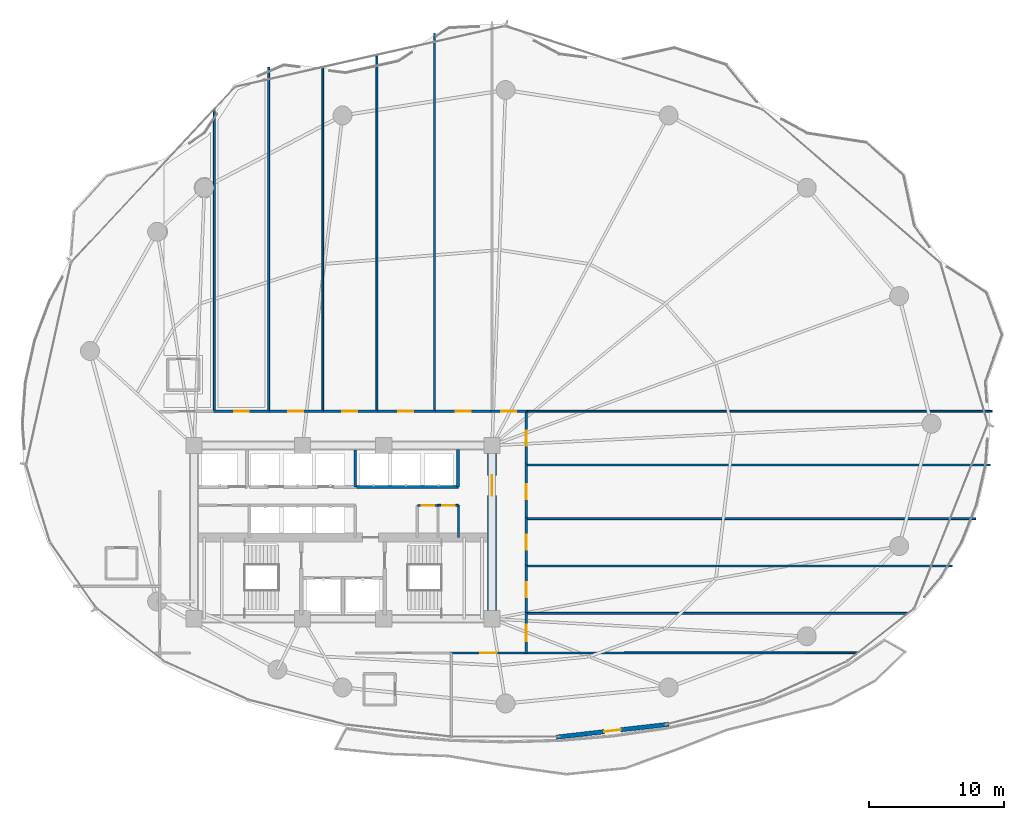
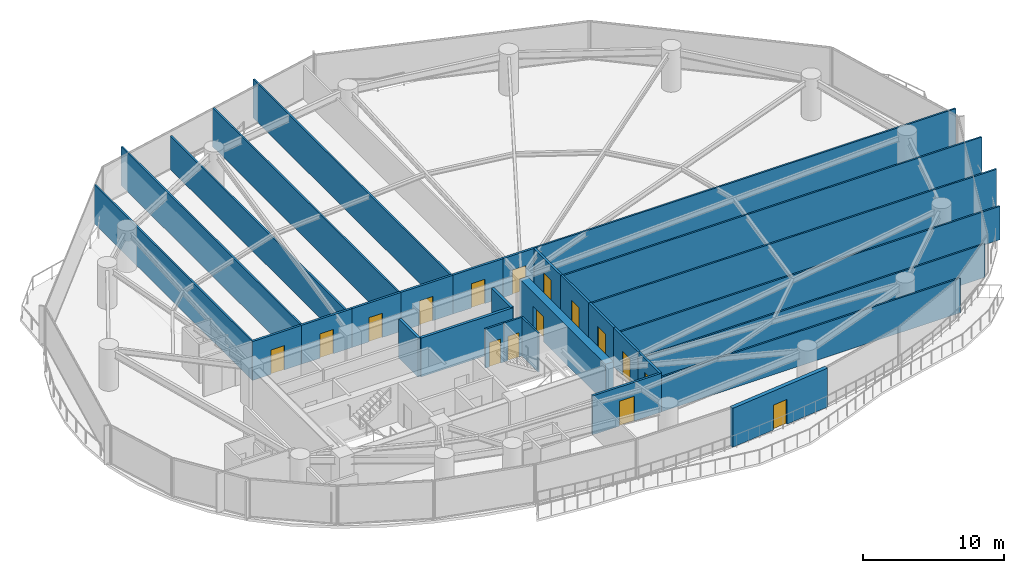
# One storey, part 27 of 33: 31 walls, 16 doors, 16 openings.
"""IFC4 building model written with IfcOpenShell, lengths in metres."""

from ifc_helpers import new_model, si_unit, direction, frame, frame_2d, origin, place, context, subcontext, project, spatial, rectangle, extrude, material, layer, layer_set, type_object, element, fill, save


model = new_model("IFC4")

# Units and contexts
model_context = context("Model", 3, precision=1e-05, world=origin(), true_north=direction((0.0, 1.0)))
body_context = subcontext(model_context, "Body", "Model", "MODEL_VIEW")
ifc_project = project(units=[si_unit("LENGTHUNIT", "METRE"), si_unit("AREAUNIT", "SQUARE_METRE"), si_unit("VOLUMEUNIT", "CUBIC_METRE"), si_unit("PLANEANGLEUNIT", "RADIAN"), si_unit("MASSUNIT", "GRAM", prefix="KILO")], contexts=[model_context])

# Site, building, storey
site_placement = place(None, origin())
site = spatial("IfcSite", under=ifc_project, at=site_placement, CompositionType="ELEMENT")
building_placement = place(site_placement, origin())
building = spatial("IfcBuilding", under=site, at=building_placement, Name="Kazevale Care Tower and Concert Hall", CompositionType="ELEMENT")
storey_placement = place(building_placement, frame((0.0, 0.0, 31.199951171875)))
storey = spatial("IfcBuildingStorey", under=building, at=storey_placement, Name="L07", CompositionType="ELEMENT", Elevation=31.199951171875)

# Wall
ifc_material_1 = material(Name="Acoustic Gypsum on Steel Stud", Category="steel")
ifc_layer_1 = layer(ifc_material_1, 0.139892578125)
ifc_layer_set_1 = layer_set([ifc_layer_1], Name="Acoustic Gypsum on Steel Stud")
wall_type_1 = type_object("IfcWallType", Name="Acoustic Care & Suite Partition 140", PredefinedType="PARTITIONING", material=ifc_layer_set_1)
wall_1_placement = place(storey_placement, frame((41.52001953125, 29.6201171875, 0.0), z_axis=(0.0, 0.0, 1.0), x_axis=(0.0, 1.0, 0.0)))
element("IfcWall", 1, at=wall_1_placement, inside=storey, type_object=wall_type_1, Name="wall:L07:ka_ee", PredefinedType="PARTITIONING", context=body_context, shape_type="SweptSolid", body=[
    extrude(rectangle(XDim=2.35986328125, YDim=0.139892578125, at=frame_2d((1.179931640625, 0.0))), origin(), (0.0, 0.0, 1.0), 3.360107421875),
])

# Wall, opening, door
wall_2_placement = place(storey_placement, frame((40.0, 31.97998046875, 0.0), z_axis=(0.0, 0.0, 1.0), x_axis=(1.0, 0.0, 0.0)))
wall_2 = element("IfcWall", 2, at=wall_2_placement, inside=storey, type_object=wall_type_1, Name="wall:L07:ka_en2", PredefinedType="PARTITIONING", context=body_context, shape_type="SweptSolid", body=[
    extrude(rectangle(XDim=1.52001953125, YDim=0.139892578125, at=frame_2d((0.760009765625, 0.0))), origin(), (0.0, 0.0, 1.0), 3.360107421875),
])
opening_1_placement = place(wall_2_placement, frame((0.320068359375, 0.0, 0.0)))
opening_1 = element("IfcOpeningElement", 3, at=opening_1_placement, cuts=wall_2, Name="Opening ID-900", PredefinedType="OPENING", context=body_context, shape_type="SweptSolid", body=[
    extrude(rectangle(XDim=0.919921875, YDim=2.10009765625, at=frame_2d((0.4599609375, 1.050048828125))), frame((0.0, 0.079833984375, 0.0), z_axis=(0.0, -1.0, 0.0), x_axis=(1.0, 0.0, 0.0)), (0.0, 0.0, 1.0), 0.159912109375),
])
ifc_material_2 = material(Name="Oak Timber Fire Leaf", Category="wood")
door_type_1 = type_object("IfcDoorType", Name="Bathroom & Service Door 920x2100", OperationType="NOTDEFINED", PredefinedType="DOOR", material=ifc_material_2)
door_1_placement = place(opening_1_placement, origin())
door_1 = element("IfcDoor", 4, at=door_1_placement, inside=storey, type_object=door_type_1, Name="door:L07:d_kae2", OperationType="SINGLE_SWING_RIGHT", OverallHeight=2.10009765625, OverallWidth=0.919921875, PredefinedType="DOOR", context=body_context, shape_type="SweptSolid", body=[
    extrude(rectangle(XDim=0.919921875, YDim=2.10009765625, at=frame_2d((0.4599609375, 1.050048828125))), frame((0.0, 0.02490234375, 0.0), z_axis=(0.0, -1.0, 0.0), x_axis=(1.0, 0.0, 0.0)), (0.0, 0.0, 1.0), 0.050048828125),
])
fill(opening_1, door_1)

# Walls
wall_3_placement = place(storey_placement, frame((23.5, 61.2236328125, 0.0), z_axis=(0.0, 0.0, 1.0), x_axis=(0.0, -1.0, 0.0)))
element("IfcWall", 5, at=wall_3_placement, inside=storey, type_object=wall_type_1, Name="wall:L07:auto_018", PredefinedType="PARTITIONING", context=body_context, shape_type="SweptSolid", body=[
    extrude(rectangle(XDim=22.32861328125, YDim=0.139892578125, at=frame_2d((11.164306640625, 0.0))), origin(), (0.0, 0.0, 1.0), 3.360107421875),
])
wall_4_placement = place(storey_placement, frame((27.5, 64.322998046875, 0.0), z_axis=(0.0, 0.0, 1.0), x_axis=(0.0, -1.0, 0.0)))
element("IfcWall", 6, at=wall_4_placement, inside=storey, type_object=wall_type_1, Name="wall:L07:auto_019", PredefinedType="PARTITIONING", context=body_context, shape_type="SweptSolid", body=[
    extrude(rectangle(XDim=25.427978515625, YDim=0.139892578125, at=frame_2d((12.7138671875, 0.0))), origin(), (0.0, 0.0, 1.0), 3.360107421875),
])
wall_5_placement = place(storey_placement, frame((31.5, 64.323974609375, 0.0), z_axis=(0.0, 0.0, 1.0), x_axis=(0.0, -1.0, 0.0)))
element("IfcWall", 7, at=wall_5_placement, inside=storey, type_object=wall_type_1, Name="wall:L07:auto_020", PredefinedType="PARTITIONING", context=body_context, shape_type="SweptSolid", body=[
    extrude(rectangle(XDim=25.428955078125, YDim=0.139892578125, at=frame_2d((12.71435546875, 0.0))), origin(), (0.0, 0.0, 1.0), 2.89013671875),
])
wall_6_placement = place(storey_placement, frame((35.5, 65.2255859375, 0.0), z_axis=(0.0, 0.0, 1.0), x_axis=(0.0, -1.0, 0.0)))
element("IfcWall", 8, at=wall_6_placement, inside=storey, type_object=wall_type_1, Name="wall:L07:auto_021", PredefinedType="PARTITIONING", context=body_context, shape_type="SweptSolid", body=[
    extrude(rectangle(XDim=26.33056640625, YDim=0.139892578125, at=frame_2d((13.165283203125, 0.0))), origin(), (0.0, 0.0, 1.0), 3.360107421875),
])
wall_7_placement = place(storey_placement, frame((39.75, 66.85693359375, 0.0), z_axis=(0.0, 0.0, 1.0), x_axis=(0.0, -1.0, 0.0)))
element("IfcWall", 9, at=wall_7_placement, inside=storey, type_object=wall_type_1, Name="wall:L07:auto_022", PredefinedType="PARTITIONING", context=body_context, shape_type="SweptSolid", body=[
    extrude(rectangle(XDim=27.9619140625, YDim=0.139892578125, at=frame_2d((13.98095703125, 0.0))), origin(), (0.0, 0.0, 1.0), 3.360107421875),
])
wall_8_placement = place(storey_placement, frame((80.931884765625, 38.925048828125, 0.0), z_axis=(0.0, 0.0, 1.0), x_axis=(-1.0, 0.0, 0.0)))
element("IfcWall", 10, at=wall_8_placement, inside=storey, type_object=wall_type_1, Name="wall:L07:auto_024", PredefinedType="PARTITIONING", context=body_context, shape_type="SweptSolid", body=[
    extrude(rectangle(XDim=34.471923828125, YDim=0.139892578125, at=frame_2d((17.23583984375, 0.0))), origin(), (0.0, 0.0, 1.0), 3.360107421875),
])
wall_9_placement = place(storey_placement, frame((46.4951171875, 24.0, 0.0), z_axis=(0.0, 0.0, 1.0), x_axis=(1.0, 0.0, 0.0)))
element("IfcWall", 11, at=wall_9_placement, inside=storey, type_object=wall_type_1, Name="wall:L07:auto_025", PredefinedType="PARTITIONING", context=body_context, shape_type="SweptSolid", body=[
    extrude(rectangle(XDim=28.213623046875, YDim=0.139892578125, at=frame_2d((14.10693359375, 0.0))), origin(), (0.0, 0.0, 1.0), 2.89013671875),
])
wall_10_placement = place(storey_placement, frame((71.0107421875, 21.094482421875, 0.0), z_axis=(0.0, 0.0, 1.0), x_axis=(-0.999999682646, -0.000796685534, 0.0)))
element("IfcWall", 12, at=wall_10_placement, inside=storey, type_object=wall_type_1, Name="wall:L07:auto_026", PredefinedType="PARTITIONING", context=body_context, shape_type="SweptSolid", body=[
    extrude(rectangle(XDim=24.515625, YDim=0.139892578125, at=frame_2d((12.2578125, 0.0))), origin(), (0.0, 0.0, 1.0), 2.99609375),
])
wall_11_placement = place(storey_placement, frame((46.4951171875, 27.5, 0.0), z_axis=(0.0, 0.0, 1.0), x_axis=(1.0, 0.0, 0.0)))
element("IfcWall", 13, at=wall_11_placement, inside=storey, type_object=wall_type_1, Name="wall:L07:auto_027", PredefinedType="PARTITIONING", context=body_context, shape_type="SweptSolid", body=[
    extrude(rectangle(XDim=31.469970703125, YDim=0.139892578125, at=frame_2d((15.73486328125, 0.0))), origin(), (0.0, 0.0, 1.0), 2.89013671875),
])
wall_12_placement = place(storey_placement, frame((46.4951171875, 31.0, 0.0), z_axis=(0.0, 0.0, 1.0), x_axis=(1.0, 0.0, 0.0)))
element("IfcWall", 14, at=wall_12_placement, inside=storey, type_object=wall_type_1, Name="wall:L07:auto_028", PredefinedType="PARTITIONING", context=body_context, shape_type="SweptSolid", body=[
    extrude(rectangle(XDim=33.206787109375, YDim=0.139892578125, at=frame_2d((16.603515625, 0.0))), origin(), (0.0, 0.0, 1.0), 3.360107421875),
])
wall_13_placement = place(storey_placement, frame((46.4951171875, 34.9599609375, 0.0), z_axis=(0.0, 0.0, 1.0), x_axis=(1.0, 0.0, 0.0)))
element("IfcWall", 15, at=wall_13_placement, inside=storey, type_object=wall_type_1, Name="wall:L07:auto_029", PredefinedType="PARTITIONING", context=body_context, shape_type="SweptSolid", body=[
    extrude(rectangle(XDim=34.28076171875, YDim=0.139892578125, at=frame_2d((17.140380859375, 0.0))), origin(), (0.0, 0.0, 1.0), 3.360107421875),
])

# Wall, opening, door
ifc_material_3 = material(Name="Concrete C70", Category="concrete")
ifc_layer_2 = layer(ifc_material_3, 0.64990234375)
ifc_layer_set_2 = layer_set([ifc_layer_2], Name="Concrete C70")
wall_type_2 = type_object("IfcWallType", Name="Core Shear Wall 650 C70", PredefinedType="SHEAR", material=ifc_layer_set_2)
wall_14_placement = place(storey_placement, frame((44.0, 23.925048828125, 0.0), z_axis=(0.0, 0.0, 1.0), x_axis=(0.0, 1.0, 0.0)))
wall_14 = element("IfcWall", 16, at=wall_14_placement, inside=storey, type_object=wall_type_2, Name="wall:L07:core:E", PredefinedType="SHEAR", context=body_context, shape_type="SweptSolid", body=[
    extrude(rectangle(XDim=12.14990234375, YDim=0.64990234375, at=frame_2d((6.074951171875, 0.0))), origin(), (0.0, 0.0, 1.0), 3.360107421875),
])
opening_2_placement = place(wall_14_placement, frame((8.77490234375, 0.0, 0.0)))
opening_2 = element("IfcOpeningElement", 17, at=opening_2_placement, cuts=wall_14, Name="Opening FD-60D", PredefinedType="OPENING", context=body_context, shape_type="SweptSolid", body=[
    extrude(rectangle(XDim=1.5, YDim=2.14990234375, at=frame_2d((0.75, 1.074951171875))), frame((0.0, 0.3349609375, 0.0), z_axis=(0.0, -1.0, 0.0), x_axis=(1.0, 0.0, 0.0)), (0.0, 0.0, 1.0), 0.669921875),
])
door_type_2 = type_object("IfcDoorType", Name="Double Lobby & Auditorium Fire Door 1500x2150", OperationType="NOTDEFINED", PredefinedType="DOOR", material=ifc_material_2)
door_2_placement = place(opening_2_placement, origin())
door_2 = element("IfcDoor", 18, at=door_2_placement, inside=storey, type_object=door_type_2, Name="door:L07:core_east_out", OperationType="DOUBLE_DOOR_SINGLE_SWING", OverallHeight=2.14990234375, OverallWidth=1.5, PredefinedType="DOOR", context=body_context, shape_type="SweptSolid", body=[
    extrude(rectangle(XDim=1.5, YDim=2.14990234375, at=frame_2d((0.75, 1.074951171875))), frame((0.0, 0.02490234375, 0.0), z_axis=(0.0, -1.0, 0.0), x_axis=(1.0, 0.0, 0.0)), (0.0, 0.0, 1.0), 0.050048828125),
])
fill(opening_2, door_2)

# Walls
ifc_material_4 = material(Name="Concrete C40", Category="concrete")
ifc_layer_3 = layer(ifc_material_4, 0.219970703125)
ifc_layer_set_3 = layer_set([ifc_layer_3], Name="Concrete C40")
wall_type_3 = type_object("IfcWallType", Name="Elevator Hoistway Shaft Wall 220", PredefinedType="SOLIDWALL", material=ifc_layer_set_3)
wall_15_placement = place(storey_placement, frame((33.89990234375, 33.35009765625, 0.0), z_axis=(0.0, 0.0, 1.0), x_axis=(0.0, 1.0, 0.0)))
element("IfcWall", 19, at=wall_15_placement, inside=storey, type_object=wall_type_3, Name="wall:L07:c_pl_e", PredefinedType="SOLIDWALL", context=body_context, shape_type="SweptSolid", body=[
    extrude(rectangle(XDim=2.72998046875, YDim=0.219970703125, at=frame_2d((1.364990234375, 0.0))), origin(), (0.0, 0.0, 1.0), 3.360107421875),
])
wall_16_placement = place(storey_placement, frame((33.97998046875, 33.35009765625, 0.0), z_axis=(0.0, 0.0, 1.0), x_axis=(1.0, 0.0, 0.0)))
element("IfcWall", 20, at=wall_16_placement, inside=storey, type_object=wall_type_3, Name="wall:L07:c_pm_s", PredefinedType="SOLIDWALL", context=body_context, shape_type="SweptSolid", body=[
    extrude(rectangle(XDim=7.5400390625, YDim=0.219970703125, at=frame_2d((3.77001953125, 0.0))), origin(), (0.0, 0.0, 1.0), 3.360107421875),
])
wall_17_placement = place(storey_placement, frame((41.5, 33.35009765625, 0.0), z_axis=(0.0, 0.0, 1.0), x_axis=(0.0, 1.0, 0.0)))
element("IfcWall", 21, at=wall_17_placement, inside=storey, type_object=wall_type_3, Name="wall:L07:c_pm_e", PredefinedType="SOLIDWALL", context=body_context, shape_type="SweptSolid", body=[
    extrude(rectangle(XDim=2.75, YDim=0.219970703125, at=frame_2d((1.375, 0.0))), origin(), (0.0, 0.0, 1.0), 3.360107421875),
])

# Wall, opening, door
ifc_material_5 = material(Name="Concrete C40 and Acoustic Gypsum", Category="concrete")
ifc_layer_4 = layer(ifc_material_5, 0.179931640625)
ifc_layer_set_4 = layer_set([ifc_layer_4], Name="Concrete C40 and Acoustic Gypsum")
wall_type_4 = type_object("IfcWallType", Name="Fire-Rated Corridor & Party Wall 180", PredefinedType="PARTITIONING", material=ifc_layer_set_4)
wall_18_placement = place(storey_placement, frame((23.43505859375, 38.925048828125, 0.0), z_axis=(0.0, 0.0, 1.0), x_axis=(1.0, 0.0, 0.0)))
wall_18 = element("IfcWall", 22, at=wall_18_placement, inside=storey, type_object=wall_type_4, Name="wall:L07:auto_002", PredefinedType="PARTITIONING", context=body_context, shape_type="SweptSolid", body=[
    extrude(rectangle(XDim=4.1298828125, YDim=0.179931640625, at=frame_2d((2.06494140625, 0.0))), origin(), (0.0, 0.0, 1.0), 3.360107421875),
])
opening_3_placement = place(wall_18_placement, frame((1.514892578125, 0.0, 0.0)))
opening_3 = element("IfcOpeningElement", 23, at=opening_3_placement, cuts=wall_18, Name="Opening ID-1100", PredefinedType="OPENING", context=body_context, shape_type="SweptSolid", body=[
    extrude(rectangle(XDim=1.10009765625, YDim=2.10009765625, at=frame_2d((0.550048828125, 1.050048828125))), frame((0.0, 0.099853515625, 0.0), z_axis=(0.0, -1.0, 0.0), x_axis=(1.0, 0.0, 0.0)), (0.0, 0.0, 1.0), 0.199951171875),
])
door_type_3 = type_object("IfcDoorType", Name="Care Bedroom Accessible Door 1100x2100", OperationType="NOTDEFINED", PredefinedType="DOOR", material=ifc_material_2)
door_3_placement = place(opening_3_placement, origin())
door_3 = element("IfcDoor", 24, at=door_3_placement, inside=storey, type_object=door_type_3, Name="door:L07:ad_002", OperationType="SINGLE_SWING_LEFT", OverallHeight=2.10009765625, OverallWidth=1.10009765625, PredefinedType="DOOR", context=body_context, shape_type="SweptSolid", body=[
    extrude(rectangle(XDim=1.10009765625, YDim=2.10009765625, at=frame_2d((0.550048828125, 1.050048828125))), frame((0.0, 0.02490234375, 0.0), z_axis=(0.0, -1.0, 0.0), x_axis=(1.0, 0.0, 0.0)), (0.0, 0.0, 1.0), 0.050048828125),
])
fill(opening_3, door_3)

wall_19_placement = place(storey_placement, frame((27.43505859375, 38.925048828125, 0.0), z_axis=(0.0, 0.0, 1.0), x_axis=(1.0, 0.0, 0.0)))
wall_19 = element("IfcWall", 25, at=wall_19_placement, inside=storey, type_object=wall_type_4, Name="wall:L07:auto_003", PredefinedType="PARTITIONING", context=body_context, shape_type="SweptSolid", body=[
    extrude(rectangle(XDim=4.1298828125, YDim=0.179931640625, at=frame_2d((2.06494140625, 0.0))), origin(), (0.0, 0.0, 1.0), 3.360107421875),
])
opening_4_placement = place(wall_19_placement, frame((1.514892578125, 0.0, 0.0)))
opening_4 = element("IfcOpeningElement", 26, at=opening_4_placement, cuts=wall_19, Name="Opening ID-1100", PredefinedType="OPENING", context=body_context, shape_type="SweptSolid", body=[
    extrude(rectangle(XDim=1.10009765625, YDim=2.10009765625, at=frame_2d((0.550048828125, 1.050048828125))), frame((0.0, 0.099853515625, 0.0), z_axis=(0.0, -1.0, 0.0), x_axis=(1.0, 0.0, 0.0)), (0.0, 0.0, 1.0), 0.199951171875),
])
door_4_placement = place(opening_4_placement, origin())
door_4 = element("IfcDoor", 27, at=door_4_placement, inside=storey, type_object=door_type_3, Name="door:L07:ad_003", OperationType="SINGLE_SWING_LEFT", OverallHeight=2.10009765625, OverallWidth=1.10009765625, PredefinedType="DOOR", context=body_context, shape_type="SweptSolid", body=[
    extrude(rectangle(XDim=1.10009765625, YDim=2.10009765625, at=frame_2d((0.550048828125, 1.050048828125))), frame((0.0, 0.02490234375, 0.0), z_axis=(0.0, -1.0, 0.0), x_axis=(1.0, 0.0, 0.0)), (0.0, 0.0, 1.0), 0.050048828125),
])
fill(opening_4, door_4)

wall_20_placement = place(storey_placement, frame((31.43505859375, 38.925048828125, 0.0), z_axis=(0.0, 0.0, 1.0), x_axis=(1.0, 0.0, 0.0)))
wall_20 = element("IfcWall", 28, at=wall_20_placement, inside=storey, type_object=wall_type_4, Name="wall:L07:auto_004", PredefinedType="PARTITIONING", context=body_context, shape_type="SweptSolid", body=[
    extrude(rectangle(XDim=4.1298828125, YDim=0.179931640625, at=frame_2d((2.06494140625, 0.0))), origin(), (0.0, 0.0, 1.0), 3.360107421875),
])
opening_5_placement = place(wall_20_placement, frame((1.514892578125, 0.0, 0.0)))
opening_5 = element("IfcOpeningElement", 29, at=opening_5_placement, cuts=wall_20, Name="Opening ID-1100", PredefinedType="OPENING", context=body_context, shape_type="SweptSolid", body=[
    extrude(rectangle(XDim=1.10009765625, YDim=2.10009765625, at=frame_2d((0.550048828125, 1.050048828125))), frame((0.0, 0.099853515625, 0.0), z_axis=(0.0, -1.0, 0.0), x_axis=(1.0, 0.0, 0.0)), (0.0, 0.0, 1.0), 0.199951171875),
])
door_5_placement = place(opening_5_placement, origin())
door_5 = element("IfcDoor", 30, at=door_5_placement, inside=storey, type_object=door_type_3, Name="door:L07:ad_004", OperationType="SINGLE_SWING_LEFT", OverallHeight=2.10009765625, OverallWidth=1.10009765625, PredefinedType="DOOR", context=body_context, shape_type="SweptSolid", body=[
    extrude(rectangle(XDim=1.10009765625, YDim=2.10009765625, at=frame_2d((0.550048828125, 1.050048828125))), frame((0.0, 0.02490234375, 0.0), z_axis=(0.0, -1.0, 0.0), x_axis=(1.0, 0.0, 0.0)), (0.0, 0.0, 1.0), 0.050048828125),
])
fill(opening_5, door_5)

wall_21_placement = place(storey_placement, frame((35.43505859375, 38.925048828125, 0.0), z_axis=(0.0, 0.0, 1.0), x_axis=(1.0, 0.0, 0.0)))
wall_21 = element("IfcWall", 31, at=wall_21_placement, inside=storey, type_object=wall_type_4, Name="wall:L07:auto_005", PredefinedType="PARTITIONING", context=body_context, shape_type="SweptSolid", body=[
    extrude(rectangle(XDim=4.3798828125, YDim=0.179931640625, at=frame_2d((2.18994140625, 0.0))), origin(), (0.0, 0.0, 1.0), 3.360107421875),
])
opening_6_placement = place(wall_21_placement, frame((1.639892578125, 0.0, 0.0)))
opening_6 = element("IfcOpeningElement", 32, at=opening_6_placement, cuts=wall_21, Name="Opening ID-1100", PredefinedType="OPENING", context=body_context, shape_type="SweptSolid", body=[
    extrude(rectangle(XDim=1.10009765625, YDim=2.10009765625, at=frame_2d((0.550048828125, 1.050048828125))), frame((0.0, 0.099853515625, 0.0), z_axis=(0.0, -1.0, 0.0), x_axis=(1.0, 0.0, 0.0)), (0.0, 0.0, 1.0), 0.199951171875),
])
door_6_placement = place(opening_6_placement, origin())
door_6 = element("IfcDoor", 33, at=door_6_placement, inside=storey, type_object=door_type_3, Name="door:L07:ad_005", OperationType="SINGLE_SWING_LEFT", OverallHeight=2.10009765625, OverallWidth=1.10009765625, PredefinedType="DOOR", context=body_context, shape_type="SweptSolid", body=[
    extrude(rectangle(XDim=1.10009765625, YDim=2.10009765625, at=frame_2d((0.550048828125, 1.050048828125))), frame((0.0, 0.02490234375, 0.0), z_axis=(0.0, -1.0, 0.0), x_axis=(1.0, 0.0, 0.0)), (0.0, 0.0, 1.0), 0.050048828125),
])
fill(opening_6, door_6)

wall_22_placement = place(storey_placement, frame((39.68505859375, 38.925048828125, 0.0), z_axis=(0.0, 0.0, 1.0), x_axis=(1.0, 0.0, 0.0)))
wall_22 = element("IfcWall", 34, at=wall_22_placement, inside=storey, type_object=wall_type_4, Name="wall:L07:auto_006", PredefinedType="PARTITIONING", context=body_context, shape_type="SweptSolid", body=[
    extrude(rectangle(XDim=4.3798828125, YDim=0.179931640625, at=frame_2d((2.18994140625, 0.0))), origin(), (0.0, 0.0, 1.0), 3.360107421875),
])
opening_7_placement = place(wall_22_placement, frame((1.639892578125, 0.0, 0.0)))
opening_7 = element("IfcOpeningElement", 35, at=opening_7_placement, cuts=wall_22, Name="Opening ID-1100", PredefinedType="OPENING", context=body_context, shape_type="SweptSolid", body=[
    extrude(rectangle(XDim=1.10009765625, YDim=2.10009765625, at=frame_2d((0.550048828125, 1.050048828125))), frame((0.0, 0.099853515625, 0.0), z_axis=(0.0, -1.0, 0.0), x_axis=(1.0, 0.0, 0.0)), (0.0, 0.0, 1.0), 0.199951171875),
])
door_7_placement = place(opening_7_placement, origin())
door_7 = element("IfcDoor", 36, at=door_7_placement, inside=storey, type_object=door_type_3, Name="door:L07:ad_006", OperationType="SINGLE_SWING_LEFT", OverallHeight=2.10009765625, OverallWidth=1.10009765625, PredefinedType="DOOR", context=body_context, shape_type="SweptSolid", body=[
    extrude(rectangle(XDim=1.10009765625, YDim=2.10009765625, at=frame_2d((0.550048828125, 1.050048828125))), frame((0.0, 0.02490234375, 0.0), z_axis=(0.0, -1.0, 0.0), x_axis=(1.0, 0.0, 0.0)), (0.0, 0.0, 1.0), 0.050048828125),
])
fill(opening_7, door_7)

wall_23_placement = place(storey_placement, frame((43.93505859375, 38.925048828125, 0.0), z_axis=(0.0, 0.0, 1.0), x_axis=(1.0, 0.0, 0.0)))
wall_23 = element("IfcWall", 37, at=wall_23_placement, inside=storey, type_object=wall_type_4, Name="wall:L07:auto_007", PredefinedType="PARTITIONING", context=body_context, shape_type="SweptSolid", body=[
    extrude(rectangle(XDim=2.619873046875, YDim=0.179931640625, at=frame_2d((1.31005859375, 0.0))), origin(), (0.0, 0.0, 1.0), 3.360107421875),
])
opening_8_placement = place(wall_23_placement, frame((0.760009765625, 0.0, 0.0)))
opening_8 = element("IfcOpeningElement", 38, at=opening_8_placement, cuts=wall_23, Name="Opening ID-1100", PredefinedType="OPENING", context=body_context, shape_type="SweptSolid", body=[
    extrude(rectangle(XDim=1.10009765625, YDim=2.10009765625, at=frame_2d((0.550048828125, 1.050048828125))), frame((0.0, 0.099853515625, 0.0), z_axis=(0.0, -1.0, 0.0), x_axis=(1.0, 0.0, 0.0)), (0.0, 0.0, 1.0), 0.199951171875),
])
door_8_placement = place(opening_8_placement, origin())
door_8 = element("IfcDoor", 39, at=door_8_placement, inside=storey, type_object=door_type_3, Name="door:L07:ad_007", OperationType="SINGLE_SWING_LEFT", OverallHeight=2.10009765625, OverallWidth=1.10009765625, PredefinedType="DOOR", context=body_context, shape_type="SweptSolid", body=[
    extrude(rectangle(XDim=1.10009765625, YDim=2.10009765625, at=frame_2d((0.550048828125, 1.050048828125))), frame((0.0, 0.02490234375, 0.0), z_axis=(0.0, -1.0, 0.0), x_axis=(1.0, 0.0, 0.0)), (0.0, 0.0, 1.0), 0.050048828125),
])
fill(opening_8, door_8)

wall_24_placement = place(storey_placement, frame((46.52490234375, 24.06494140625, 0.0), z_axis=(0.0, 0.0, 1.0), x_axis=(0.0, -1.0, 0.0)))
wall_24 = element("IfcWall", 40, at=wall_24_placement, inside=storey, type_object=wall_type_4, Name="wall:L07:auto_008", PredefinedType="PARTITIONING", context=body_context, shape_type="SweptSolid", body=[
    extrude(rectangle(XDim=3.02001953125, YDim=0.179931640625, at=frame_2d((1.510009765625, 0.0))), origin(), (0.0, 0.0, 1.0), 3.360107421875),
])
opening_9_placement = place(wall_24_placement, frame((0.909912109375, 0.0, 0.0)))
opening_9 = element("IfcOpeningElement", 41, at=opening_9_placement, cuts=wall_24, Name="Opening ID-1200", PredefinedType="OPENING", context=body_context, shape_type="SweptSolid", body=[
    extrude(rectangle(XDim=1.199951171875, YDim=2.14990234375, at=frame_2d((0.60009765625, 1.074951171875))), frame((0.0, 0.099853515625, 0.0), z_axis=(0.0, -1.0, 0.0), x_axis=(1.0, 0.0, 0.0)), (0.0, 0.0, 1.0), 0.199951171875),
])
door_type_4 = type_object("IfcDoorType", Name="Clinical & Therapy Door 1200x2150", OperationType="NOTDEFINED", PredefinedType="DOOR", material=ifc_material_2)
door_9_placement = place(opening_9_placement, origin())
door_9 = element("IfcDoor", 42, at=door_9_placement, inside=storey, type_object=door_type_4, Name="door:L07:ad_008", OperationType="SINGLE_SWING_LEFT", OverallHeight=2.14990234375, OverallWidth=1.199951171875, PredefinedType="DOOR", context=body_context, shape_type="SweptSolid", body=[
    extrude(rectangle(XDim=1.199951171875, YDim=2.14990234375, at=frame_2d((0.60009765625, 1.074951171875))), frame((0.0, 0.02490234375, 0.0), z_axis=(0.0, -1.0, 0.0), x_axis=(1.0, 0.0, 0.0)), (0.0, 0.0, 1.0), 0.050048828125),
])
fill(opening_9, door_9)

wall_25_placement = place(storey_placement, frame((46.52490234375, 27.56494140625, 0.0), z_axis=(0.0, 0.0, 1.0), x_axis=(0.0, -1.0, 0.0)))
wall_25 = element("IfcWall", 43, at=wall_25_placement, inside=storey, type_object=wall_type_4, Name="wall:L07:auto_009", PredefinedType="PARTITIONING", context=body_context, shape_type="SweptSolid", body=[
    extrude(rectangle(XDim=3.6298828125, YDim=0.179931640625, at=frame_2d((1.81494140625, 0.0))), origin(), (0.0, 0.0, 1.0), 3.360107421875),
])
opening_10_placement = place(wall_25_placement, frame((1.264892578125, 0.0, 0.0)))
opening_10 = element("IfcOpeningElement", 44, at=opening_10_placement, cuts=wall_25, Name="Opening ID-1100", PredefinedType="OPENING", context=body_context, shape_type="SweptSolid", body=[
    extrude(rectangle(XDim=1.10009765625, YDim=2.10009765625, at=frame_2d((0.550048828125, 1.050048828125))), frame((0.0, 0.099853515625, 0.0), z_axis=(0.0, -1.0, 0.0), x_axis=(1.0, 0.0, 0.0)), (0.0, 0.0, 1.0), 0.199951171875),
])
door_10_placement = place(opening_10_placement, origin())
door_10 = element("IfcDoor", 45, at=door_10_placement, inside=storey, type_object=door_type_3, Name="door:L07:ad_009", OperationType="SINGLE_SWING_LEFT", OverallHeight=2.10009765625, OverallWidth=1.10009765625, PredefinedType="DOOR", context=body_context, shape_type="SweptSolid", body=[
    extrude(rectangle(XDim=1.10009765625, YDim=2.10009765625, at=frame_2d((0.550048828125, 1.050048828125))), frame((0.0, 0.02490234375, 0.0), z_axis=(0.0, -1.0, 0.0), x_axis=(1.0, 0.0, 0.0)), (0.0, 0.0, 1.0), 0.050048828125),
])
fill(opening_10, door_10)

wall_26_placement = place(storey_placement, frame((46.52490234375, 31.06494140625, 0.0), z_axis=(0.0, 0.0, 1.0), x_axis=(0.0, -1.0, 0.0)))
wall_26 = element("IfcWall", 46, at=wall_26_placement, inside=storey, type_object=wall_type_4, Name="wall:L07:auto_010", PredefinedType="PARTITIONING", context=body_context, shape_type="SweptSolid", body=[
    extrude(rectangle(XDim=3.6298828125, YDim=0.179931640625, at=frame_2d((1.81494140625, 0.0))), origin(), (0.0, 0.0, 1.0), 3.360107421875),
])
opening_11_placement = place(wall_26_placement, frame((1.264892578125, 0.0, 0.0)))
opening_11 = element("IfcOpeningElement", 47, at=opening_11_placement, cuts=wall_26, Name="Opening ID-1100", PredefinedType="OPENING", context=body_context, shape_type="SweptSolid", body=[
    extrude(rectangle(XDim=1.10009765625, YDim=2.10009765625, at=frame_2d((0.550048828125, 1.050048828125))), frame((0.0, 0.099853515625, 0.0), z_axis=(0.0, -1.0, 0.0), x_axis=(1.0, 0.0, 0.0)), (0.0, 0.0, 1.0), 0.199951171875),
])
door_11_placement = place(opening_11_placement, origin())
door_11 = element("IfcDoor", 48, at=door_11_placement, inside=storey, type_object=door_type_3, Name="door:L07:ad_010", OperationType="SINGLE_SWING_LEFT", OverallHeight=2.10009765625, OverallWidth=1.10009765625, PredefinedType="DOOR", context=body_context, shape_type="SweptSolid", body=[
    extrude(rectangle(XDim=1.10009765625, YDim=2.10009765625, at=frame_2d((0.550048828125, 1.050048828125))), frame((0.0, 0.02490234375, 0.0), z_axis=(0.0, -1.0, 0.0), x_axis=(1.0, 0.0, 0.0)), (0.0, 0.0, 1.0), 0.050048828125),
])
fill(opening_11, door_11)

wall_27_placement = place(storey_placement, frame((46.52490234375, 35.02490234375, 0.0), z_axis=(0.0, 0.0, 1.0), x_axis=(0.0, -1.0, 0.0)))
wall_27 = element("IfcWall", 49, at=wall_27_placement, inside=storey, type_object=wall_type_4, Name="wall:L07:auto_011", PredefinedType="PARTITIONING", context=body_context, shape_type="SweptSolid", body=[
    extrude(rectangle(XDim=4.08984375, YDim=0.179931640625, at=frame_2d((2.044921875, 0.0))), origin(), (0.0, 0.0, 1.0), 3.360107421875),
])
opening_12_placement = place(wall_27_placement, frame((1.4951171875, 0.0, 0.0)))
opening_12 = element("IfcOpeningElement", 50, at=opening_12_placement, cuts=wall_27, Name="Opening ID-1100", PredefinedType="OPENING", context=body_context, shape_type="SweptSolid", body=[
    extrude(rectangle(XDim=1.10009765625, YDim=2.10009765625, at=frame_2d((0.550048828125, 1.050048828125))), frame((0.0, 0.099853515625, 0.0), z_axis=(0.0, -1.0, 0.0), x_axis=(1.0, 0.0, 0.0)), (0.0, 0.0, 1.0), 0.199951171875),
])
door_12_placement = place(opening_12_placement, origin())
door_12 = element("IfcDoor", 51, at=door_12_placement, inside=storey, type_object=door_type_3, Name="door:L07:ad_011", OperationType="SINGLE_SWING_LEFT", OverallHeight=2.10009765625, OverallWidth=1.10009765625, PredefinedType="DOOR", context=body_context, shape_type="SweptSolid", body=[
    extrude(rectangle(XDim=1.10009765625, YDim=2.10009765625, at=frame_2d((0.550048828125, 1.050048828125))), frame((0.0, 0.02490234375, 0.0), z_axis=(0.0, -1.0, 0.0), x_axis=(1.0, 0.0, 0.0)), (0.0, 0.0, 1.0), 0.050048828125),
])
fill(opening_12, door_12)

wall_28_placement = place(storey_placement, frame((46.52490234375, 38.955078125, 0.0), z_axis=(0.0, 0.0, 1.0), x_axis=(0.0, -1.0, 0.0)))
wall_28 = element("IfcWall", 52, at=wall_28_placement, inside=storey, type_object=wall_type_4, Name="wall:L07:auto_012", PredefinedType="PARTITIONING", context=body_context, shape_type="SweptSolid", body=[
    extrude(rectangle(XDim=4.06005859375, YDim=0.179931640625, at=frame_2d((2.030029296875, 0.0))), origin(), (0.0, 0.0, 1.0), 3.360107421875),
])
opening_13_placement = place(wall_28_placement, frame((1.47998046875, 0.0, 0.0)))
opening_13 = element("IfcOpeningElement", 53, at=opening_13_placement, cuts=wall_28, Name="Opening ID-1100", PredefinedType="OPENING", context=body_context, shape_type="SweptSolid", body=[
    extrude(rectangle(XDim=1.10009765625, YDim=2.10009765625, at=frame_2d((0.550048828125, 1.050048828125))), frame((0.0, 0.099853515625, 0.0), z_axis=(0.0, -1.0, 0.0), x_axis=(1.0, 0.0, 0.0)), (0.0, 0.0, 1.0), 0.199951171875),
])
door_13_placement = place(opening_13_placement, origin())
door_13 = element("IfcDoor", 54, at=door_13_placement, inside=storey, type_object=door_type_3, Name="door:L07:ad_012", OperationType="SINGLE_SWING_LEFT", OverallHeight=2.10009765625, OverallWidth=1.10009765625, PredefinedType="DOOR", context=body_context, shape_type="SweptSolid", body=[
    extrude(rectangle(XDim=1.10009765625, YDim=2.10009765625, at=frame_2d((0.550048828125, 1.050048828125))), frame((0.0, 0.02490234375, 0.0), z_axis=(0.0, -1.0, 0.0), x_axis=(1.0, 0.0, 0.0)), (0.0, 0.0, 1.0), 0.050048828125),
])
fill(opening_13, door_13)

wall_29_placement = place(storey_placement, frame((46.554931640625, 21.074951171875, 0.0), z_axis=(0.0, 0.0, 1.0), x_axis=(-1.0, 0.0, 0.0)))
wall_29 = element("IfcWall", 55, at=wall_29_placement, inside=storey, type_object=wall_type_4, Name="wall:L07:auto_014", PredefinedType="PARTITIONING", context=body_context, shape_type="SweptSolid", body=[
    extrude(rectangle(XDim=5.619873046875, YDim=0.179931640625, at=frame_2d((2.81005859375, 0.0))), origin(), (0.0, 0.0, 1.0), 3.360107421875),
])
opening_14_placement = place(wall_29_placement, frame((2.2099609375, 0.0, 0.0)))
opening_14 = element("IfcOpeningElement", 56, at=opening_14_placement, cuts=wall_29, Name="Opening ID-1200", PredefinedType="OPENING", context=body_context, shape_type="SweptSolid", body=[
    extrude(rectangle(XDim=1.199951171875, YDim=2.14990234375, at=frame_2d((0.60009765625, 1.074951171875))), frame((0.0, 0.099853515625, 0.0), z_axis=(0.0, -1.0, 0.0), x_axis=(1.0, 0.0, 0.0)), (0.0, 0.0, 1.0), 0.199951171875),
])
door_14_placement = place(opening_14_placement, origin())
door_14 = element("IfcDoor", 57, at=door_14_placement, inside=storey, type_object=door_type_4, Name="door:L07:ad_014", OperationType="SINGLE_SWING_LEFT", OverallHeight=2.14990234375, OverallWidth=1.199951171875, PredefinedType="DOOR", context=body_context, shape_type="SweptSolid", body=[
    extrude(rectangle(XDim=1.199951171875, YDim=2.14990234375, at=frame_2d((0.60009765625, 1.074951171875))), frame((0.0, 0.02490234375, 0.0), z_axis=(0.0, -1.0, 0.0), x_axis=(1.0, 0.0, 0.0)), (0.0, 0.0, 1.0), 0.050048828125),
])
fill(opening_14, door_14)

ifc_layer_5 = layer(ifc_material_1, 0.159912109375)
ifc_layer_set_5 = layer_set([ifc_layer_5], Name="Acoustic Gypsum on Steel Stud")
wall_type_5 = type_object("IfcWallType", Name="Moisture-Resistant Bathroom Plumbing Wall 160", PredefinedType="PLUMBINGWALL", material=ifc_layer_set_5)
wall_30_placement = place(storey_placement, frame((38.47998046875, 31.97998046875, 0.0), z_axis=(0.0, 0.0, 1.0), x_axis=(1.0, 0.0, 0.0)))
wall_30 = element("IfcWall", 58, at=wall_30_placement, inside=storey, type_object=wall_type_5, Name="wall:L07:ka_en1", PredefinedType="PLUMBINGWALL", context=body_context, shape_type="SweptSolid", body=[
    extrude(rectangle(XDim=1.52001953125, YDim=0.159912109375, at=frame_2d((0.760009765625, 0.0))), origin(), (0.0, 0.0, 1.0), 3.360107421875),
])
opening_15_placement = place(wall_30_placement, frame((0.320068359375, 0.0, 0.0)))
opening_15 = element("IfcOpeningElement", 59, at=opening_15_placement, cuts=wall_30, Name="Opening ID-900", PredefinedType="OPENING", context=body_context, shape_type="SweptSolid", body=[
    extrude(rectangle(XDim=0.919921875, YDim=2.10009765625, at=frame_2d((0.4599609375, 1.050048828125))), frame((0.0, 0.08984375, 0.0), z_axis=(0.0, -1.0, 0.0), x_axis=(1.0, 0.0, 0.0)), (0.0, 0.0, 1.0), 0.179931640625),
])
door_15_placement = place(opening_15_placement, origin())
door_15 = element("IfcDoor", 60, at=door_15_placement, inside=storey, type_object=door_type_1, Name="door:L07:d_kae1", OperationType="SINGLE_SWING_LEFT", OverallHeight=2.10009765625, OverallWidth=0.919921875, PredefinedType="DOOR", context=body_context, shape_type="SweptSolid", body=[
    extrude(rectangle(XDim=0.919921875, YDim=2.10009765625, at=frame_2d((0.4599609375, 1.050048828125))), frame((0.0, 0.02490234375, 0.0), z_axis=(0.0, -1.0, 0.0), x_axis=(1.0, 0.0, 0.0)), (0.0, 0.0, 1.0), 0.050048828125),
])
fill(opening_15, door_15)

ifc_material_6 = material(Name="Concrete C40 with Honed Limestone Cladding", Category="masonry")
ifc_layer_6 = layer(ifc_material_6, 0.320068359375)
ifc_layer_set_6 = layer_set([ifc_layer_6], Name="Concrete C40 with Honed Limestone Cladding")
wall_type_6 = type_object("IfcWallType", Name="Tower Honed Limestone Spandrel Wall 320", PredefinedType="STANDARD", material=ifc_layer_set_6)
wall_31_placement = place(storey_placement, frame((57.050048828125, 15.81201171875, 0.0), z_axis=(0.0, 0.0, 1.0), x_axis=(-0.993503192468, -0.113804246649, 0.0)))
wall_31 = element("IfcWall", 61, at=wall_31_placement, inside=storey, type_object=wall_type_6, Name="wall:L07:bal_host", PredefinedType="STANDARD", context=body_context, shape_type="SweptSolid", body=[
    extrude(rectangle(XDim=8.364501953125, YDim=0.320068359375, at=frame_2d((4.18212890625, 0.0))), origin(), (0.0, 0.0, 1.0), 3.360107421875),
])
opening_16_placement = place(wall_31_placement, frame((3.58203125, 0.0, 0.0)))
opening_16 = element("IfcOpeningElement", 62, at=opening_16_placement, cuts=wall_31, Name="Opening BD-1200", PredefinedType="OPENING", context=body_context, shape_type="SweptSolid", body=[
    extrude(rectangle(XDim=1.199951171875, YDim=2.14990234375, at=frame_2d((0.60009765625, 1.074951171875))), frame((0.0, 0.169921875, 0.0), z_axis=(0.0, -1.0, 0.0), x_axis=(1.0, 0.0, 0.0)), (0.0, 0.0, 1.0), 0.340087890625),
])
ifc_material_7 = material(Name="Aluminium 6063-T6 and Low-E Glass", Category="aluminium")
door_type_5 = type_object("IfcDoorType", Name="Sheltered Balcony Glazed Door 1200x2150", OperationType="NOTDEFINED", PredefinedType="DOOR", material=ifc_material_7)
door_16_placement = place(opening_16_placement, origin())
door_16 = element("IfcDoor", 63, at=door_16_placement, inside=storey, type_object=door_type_5, Name="door:L07:BD-1", OperationType="SINGLE_SWING_LEFT", OverallHeight=2.14990234375, OverallWidth=1.199951171875, PredefinedType="DOOR", context=body_context, shape_type="SweptSolid", body=[
    extrude(rectangle(XDim=1.199951171875, YDim=2.14990234375, at=frame_2d((0.60009765625, 1.074951171875))), frame((0.0, 0.02490234375, 0.0), z_axis=(0.0, -1.0, 0.0), x_axis=(1.0, 0.0, 0.0)), (0.0, 0.0, 1.0), 0.050048828125),
])
fill(opening_16, door_16)

save(model, "model.ifc")
